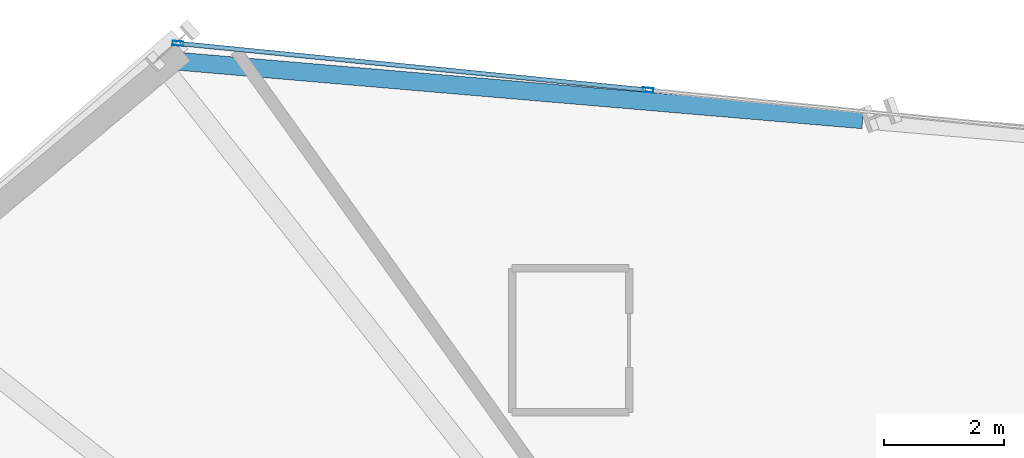
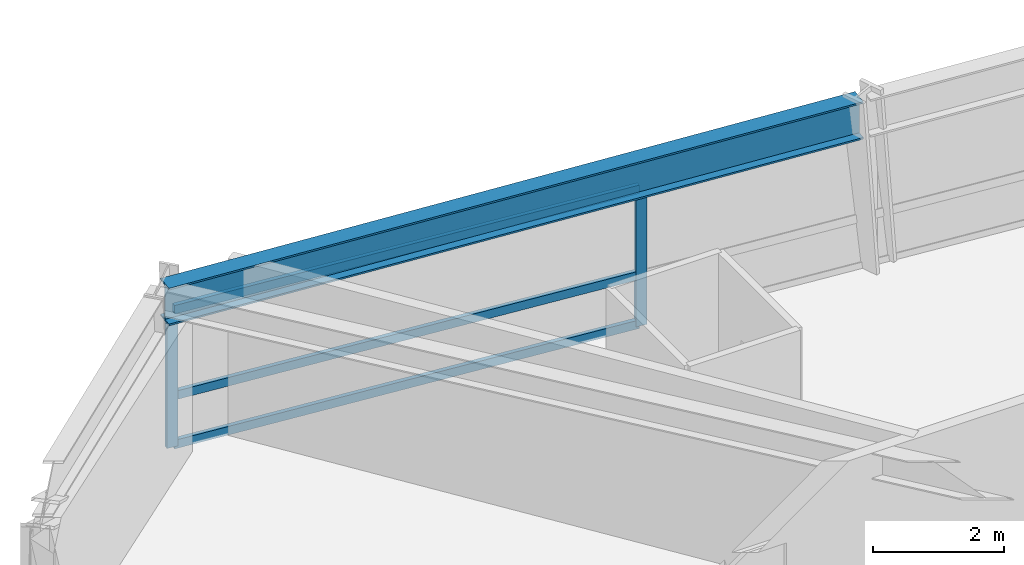
# One storey, part 10 of 24: 5 members, 1 beam, 1 element without a shape of its own.
"""IFC4 building model written with IfcOpenShell, lengths in metres."""

from ifc_helpers import new_model, si_unit, direction, frame, origin, origin_2d, place, context, subcontext, project, spatial, hollow_rectangle, i_section, extrude, source, transform, mapped, material, material_profile, profile_set, type_object, element, aggregate, save


model = new_model("IFC4")

# Units and contexts
model_context = context("Model", 3, precision=1e-05, world=origin(), true_north=direction((0.0, 1.0)))
body_context = subcontext(model_context, "Body", "Model", "MODEL_VIEW")
ifc_project = project(units=[si_unit("LENGTHUNIT", "METRE"), si_unit("AREAUNIT", "SQUARE_METRE"), si_unit("VOLUMEUNIT", "CUBIC_METRE"), si_unit("PLANEANGLEUNIT", "RADIAN"), si_unit("MASSUNIT", "GRAM", prefix="KILO")], contexts=[model_context])

# Site, building, storey
site_placement = place(None, origin())
site = spatial("IfcSite", under=ifc_project, at=site_placement, CompositionType="ELEMENT")
building_placement = place(site_placement, origin())
building = spatial("IfcBuilding", under=site, at=building_placement, Name="Olszyna Solenne Hotel", CompositionType="ELEMENT")
storey_placement = place(building_placement, frame((0.0, 0.0, 64.800048828125)))
storey = spatial("IfcBuildingStorey", under=building, at=storey_placement, Name="L16", CompositionType="ELEMENT", Elevation=64.800048828125)

# Beam
ifc_material_1 = material(Name="Steel S355J2", Category="steel")
ifc_material_profile_1 = material_profile(ifc_material_1, i_section(OverallWidth=0.300048828125, OverallDepth=0.699951171875, WebThickness=0.01708984375, FlangeThickness=0.031982421875, at=origin_2d()), Name="HEB 700", Category="load-bearing")
ifc_profile_set_1 = profile_set([ifc_material_profile_1], Name="Steel S355J2")
beam_type = type_object("IfcBeamType", Name="BM-S1", PredefinedType="BEAM", material=ifc_profile_set_1)
shared_shape_1 = source(origin(), body_context, "Body", "SweptSolid", [
    extrude(i_section(OverallWidth=0.300048828125, OverallDepth=0.699951171875, WebThickness=0.01708984375, FlangeThickness=0.031982421875, at=origin_2d()), origin(), (0.0, 0.0, 1.0), 11.73193359375),
])
beam_placement = place(storey_placement, frame((34.674560546875, 44.72998046875, 2.949951171875), z_axis=(-0.99636963171, 0.085132584865, 0.0), x_axis=(-0.085132584865, -0.99636963171, 0.0)))
element("IfcBeam", 1, at=beam_placement, inside=storey, type_object=beam_type, Name="Perimeter spandrel beam BM-S1 B-L16-0498", PredefinedType="BEAM", context=body_context, shape_type="MappedRepresentation", body=[
    mapped(shared_shape_1, transform((0.0, 0.0, 0.0), x_axis=(1.0, 0.0, 0.0), y_axis=(0.0, 1.0, 0.0), z_axis=(0.0, 0.0, 1.0), scale=1.0)),
])

# Curtain wall, members
ifc_material_2 = material(Name="Anodised bronze aluminium", Category="aluminium")
curtain_wall_type = type_object("IfcCurtainWallType", Name="CW-SYS-2", PredefinedType="NOTDEFINED", material=ifc_material_2)
curtain_wall_placement = place(storey_placement, origin())
curtain_wall = element("IfcCurtainWall", 2, at=curtain_wall_placement, inside=storey, type_object=curtain_wall_type, Name="Unitised curtain wall CW-SYS-2 CW-L16-02", PredefinedType="NOTDEFINED")
ifc_material_profile_2 = material_profile(ifc_material_2, hollow_rectangle(XDim=0.074951171875, YDim=0.179931640625, WallThickness=0.00439453125, at=origin_2d()), Name="MULL 180x75x4.5", Category="load-bearing")
ifc_profile_set_2 = profile_set([ifc_material_profile_2], Name="Anodised bronze aluminium")
member_type_1 = type_object("IfcMemberType", Name="CW-M2", PredefinedType="MULLION", material=ifc_profile_set_2)
shared_shape_2 = source(origin(), body_context, "Body", "SweptSolid", [
    extrude(hollow_rectangle(XDim=0.074951171875, YDim=0.179931640625, WallThickness=0.00439453125, at=origin_2d()), origin(), (0.0, 0.0, 1.0), 2.592041015625),
])
member_1_placement = place(storey_placement, frame((23.26123046875, 46.002685546875, 0.0), z_axis=(0.0, 0.0, 1.0), x_axis=(0.098865083439, 0.995100846787, 0.0)))
member_1 = element("IfcMember", 3, at=member_1_placement, type_object=member_type_1, Name="Curtain-wall mullion CW-M2 CM-L16-02-01", PredefinedType="MULLION", context=body_context, shape_type="MappedRepresentation", body=[
    mapped(shared_shape_2, transform((0.0, 0.0, 0.0), x_axis=(1.0, 0.0, 0.0), y_axis=(0.0, 1.0, 0.0), z_axis=(0.0, 0.0, 1.0), scale=1.0)),
])
member_2_placement = place(storey_placement, frame((31.097412109375, 45.22412109375, 0.0), z_axis=(0.0, 0.0, 1.0), x_axis=(0.098865083439, 0.995100846787, 0.0)))
member_2 = element("IfcMember", 4, at=member_2_placement, type_object=member_type_1, Name="Curtain-wall mullion CW-M2 CM-L16-02-02", PredefinedType="MULLION", context=body_context, shape_type="MappedRepresentation", body=[
    mapped(shared_shape_2, transform((0.0, 0.0, 0.0), x_axis=(1.0, 0.0, 0.0), y_axis=(0.0, 1.0, 0.0), z_axis=(0.0, 0.0, 1.0), scale=1.0)),
])
ifc_material_profile_3 = material_profile(ifc_material_2, hollow_rectangle(XDim=0.074951171875, YDim=0.159912109375, WallThickness=0.00390625, at=origin_2d()), Name="TRAN 160x75x4", Category="load-bearing")
ifc_profile_set_3 = profile_set([ifc_material_profile_3], Name="Anodised bronze aluminium")
member_type_2 = type_object("IfcMemberType", Name="CW-T1", PredefinedType="USERDEFINED", material=ifc_profile_set_3)
shared_shape_3 = source(origin(), body_context, "Body", "SweptSolid", [
    extrude(hollow_rectangle(XDim=0.074951171875, YDim=0.159912109375, WallThickness=0.00390625, at=origin_2d()), origin(), (0.0, 0.0, 1.0), 7.7998046875),
])
member_3_placement = place(storey_placement, frame((23.298583984375, 45.9990234375, 0.037353515625), z_axis=(0.995099287888, -0.098880772874, 0.0), x_axis=(0.098880772874, 0.995099287888, 0.0)))
member_3 = element("IfcMember", 5, at=member_3_placement, type_object=member_type_2, Name="Curtain-wall transom CW-T1 CT-L16-02-01", ObjectType="TRANSOM", PredefinedType="USERDEFINED", context=body_context, shape_type="MappedRepresentation", body=[
    mapped(shared_shape_3, transform((0.0, 0.0, 0.0), x_axis=(1.0, 0.0, 0.0), y_axis=(0.0, 1.0, 0.0), z_axis=(0.0, 0.0, 1.0), scale=1.0)),
])
member_4_placement = place(storey_placement, frame((23.298583984375, 45.9990234375, 0.949951171875), z_axis=(0.995099287888, -0.098880772874, 0.0), x_axis=(0.098880772874, 0.995099287888, 0.0)))
member_4 = element("IfcMember", 6, at=member_4_placement, type_object=member_type_2, Name="Curtain-wall transom CW-T1 CT-L16-02-02", ObjectType="TRANSOM", PredefinedType="USERDEFINED", context=body_context, shape_type="MappedRepresentation", body=[
    mapped(shared_shape_3, transform((0.0, 0.0, 0.0), x_axis=(1.0, 0.0, 0.0), y_axis=(0.0, 1.0, 0.0), z_axis=(0.0, 0.0, 1.0), scale=1.0)),
])
member_5_placement = place(storey_placement, frame((23.298583984375, 45.9990234375, 2.554443359375), z_axis=(0.995099287888, -0.098880772874, 0.0), x_axis=(0.098880772874, 0.995099287888, 0.0)))
member_5 = element("IfcMember", 7, at=member_5_placement, type_object=member_type_2, Name="Curtain-wall transom CW-T1 CT-L16-02-03", ObjectType="TRANSOM", PredefinedType="USERDEFINED", context=body_context, shape_type="MappedRepresentation", body=[
    mapped(shared_shape_3, transform((0.0, 0.0, 0.0), x_axis=(1.0, 0.0, 0.0), y_axis=(0.0, 1.0, 0.0), z_axis=(0.0, 0.0, 1.0), scale=1.0)),
])
aggregate(curtain_wall, [member_1, member_2, member_3, member_4, member_5])

save(model, "model.ifc")
